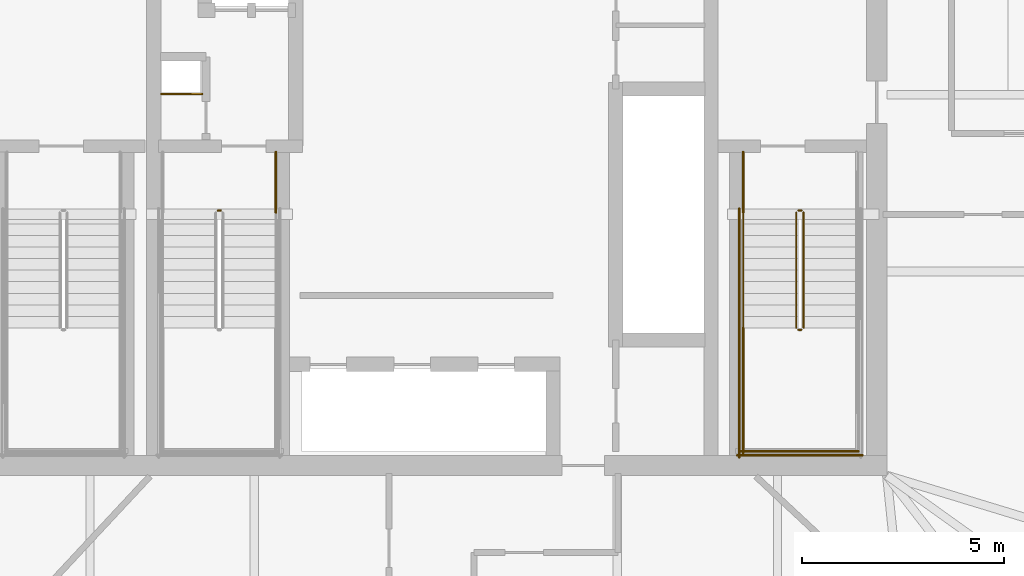
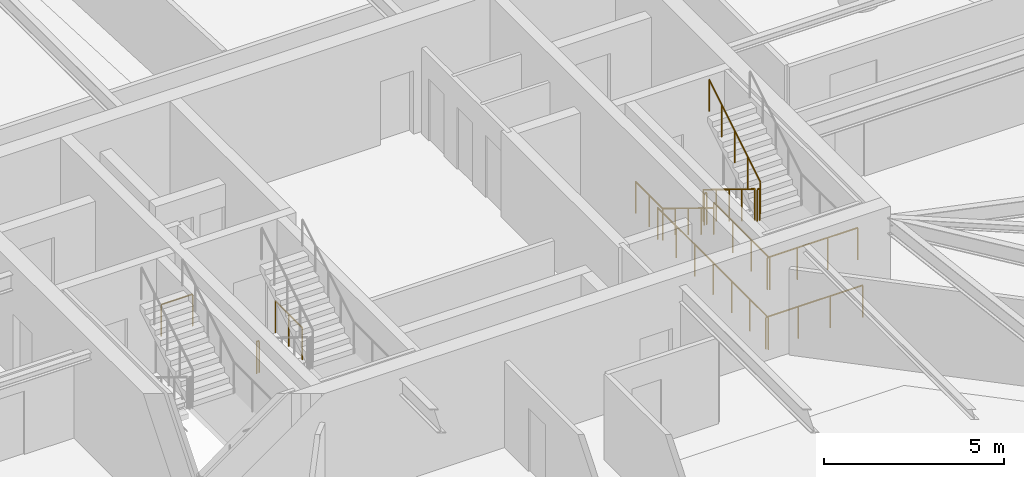
# One storey, part 17 of 18: 13 railings.
"""IFC4 building model written with IfcOpenShell, lengths in metres."""

from ifc_helpers import new_model, si_unit, direction, frame, origin, origin_2d, place, context, subcontext, project, spatial, circle, extrude, material, type_object, element, save


model = new_model("IFC4")

# Units and contexts
model_context = context("Model", 3, precision=1e-05, world=origin(), true_north=direction((0.0, 1.0)))
body_context = subcontext(model_context, "Body", "Model", "MODEL_VIEW")
ifc_project = project(units=[si_unit("LENGTHUNIT", "METRE"), si_unit("AREAUNIT", "SQUARE_METRE"), si_unit("VOLUMEUNIT", "CUBIC_METRE"), si_unit("PLANEANGLEUNIT", "RADIAN"), si_unit("MASSUNIT", "GRAM", prefix="KILO")], contexts=[model_context])

# Site, building, storey
site_placement = place(None, origin())
site = spatial("IfcSite", under=ifc_project, at=site_placement, CompositionType="ELEMENT")
building_placement = place(site_placement, origin())
building = spatial("IfcBuilding", under=site, at=building_placement, Name="Bramvorn Convention Spire", CompositionType="ELEMENT")
storey_placement = place(building_placement, frame((0.0, 0.0, 232.800048828125)))
storey = spatial("IfcBuildingStorey", under=building, at=storey_placement, Name="L59", CompositionType="ELEMENT", Elevation=232.800048828125)

# Railings
ifc_material_1 = material(Name="Painted Steel Balustrade & Guardrail", Category="steel")
railing_type_1 = type_object("IfcRailingType", Name="RL-STAIR-GUARD-1100", PredefinedType="GUARDRAIL", material=ifc_material_1)
railing_1_placement = place(storey_placement, frame((47.010009765625, 25.050048828125, 0.175048828125)))
element("IfcRailing", 1, at=railing_1_placement, inside=storey, type_object=railing_type_1, Name="L59 ST2 stair guard 1", PredefinedType="GUARDRAIL", context=body_context, shape_type="SweptSolid", body=[
    extrude(circle(Radius=0.02392578125, at=origin_2d()), frame((0.0, 0.0, 1.076171875), z_axis=(0.0, -0.852179220489, 0.52325001306), x_axis=(1.0, 0.0, 0.0)), (0.0, 0.0, 1.0), 3.344482421875),
    extrude(circle(Radius=0.02099609375, at=origin_2d()), origin(), (0.0, 0.0, 1.0), 1.052001953125),
    extrude(circle(Radius=0.02099609375, at=origin_2d()), frame((0.0, -0.71240234375, 0.4375)), (0.0, 0.0, 1.0), 1.052001953125),
    extrude(circle(Radius=0.02099609375, at=origin_2d()), frame((0.0, -1.425048828125, 0.875)), (0.0, 0.0, 1.0), 1.052001953125),
    extrude(circle(Radius=0.02099609375, at=origin_2d()), frame((0.0, -2.1376953125, 1.3125)), (0.0, 0.0, 1.0), 1.052001953125),
    extrude(circle(Radius=0.02099609375, at=origin_2d()), frame((0.0, -2.85009765625, 1.75)), (0.0, 0.0, 1.0), 1.052001953125),
])
railing_2_placement = place(storey_placement, frame((47.06005859375, 22.14990234375, 1.925048828125)))
element("IfcRailing", 2, at=railing_2_placement, inside=storey, type_object=railing_type_1, Name="L59 ST2 stair guard 2", PredefinedType="GUARDRAIL", context=body_context, shape_type="SweptSolid", body=[
    extrude(circle(Radius=0.02392578125, at=origin_2d()), frame((0.0, 0.0, 1.076171875), z_axis=(1.0, 0.0, 0.0), x_axis=(0.0, 1.0, 0.0)), (0.0, 0.0, 1.0), 0.079833984375),
    extrude(circle(Radius=0.02099609375, at=origin_2d()), origin(), (0.0, 0.0, 1.0), 1.052001953125),
    extrude(circle(Radius=0.02099609375, at=origin_2d()), frame((0.079833984375, 0.0, 0.0)), (0.0, 0.0, 1.0), 1.052001953125),
])
railing_3_placement = place(storey_placement, frame((45.699951171875, 22.199951171875, 1.925048828125)))
element("IfcRailing", 3, at=railing_3_placement, inside=storey, type_object=railing_type_1, Name="L59 ST2 stair guard 3", PredefinedType="GUARDRAIL", context=body_context, shape_type="SweptSolid", body=[
    extrude(circle(Radius=0.02392578125, at=origin_2d()), frame((0.0, 0.0, 1.076171875), z_axis=(0.0, -1.0, 0.0), x_axis=(1.0, 0.0, 0.0)), (0.0, 0.0, 1.0), 3.099853515625),
    extrude(circle(Radius=0.02099609375, at=origin_2d()), origin(), (0.0, 0.0, 1.0), 1.052001953125),
    extrude(circle(Radius=0.02099609375, at=origin_2d()), frame((0.0, -1.033203125, 0.0)), (0.0, 0.0, 1.0), 1.052001953125),
    extrude(circle(Radius=0.02099609375, at=origin_2d()), frame((0.0, -2.066650390625, 0.0)), (0.0, 0.0, 1.0), 1.052001953125),
    extrude(circle(Radius=0.02099609375, at=origin_2d()), frame((0.0, -3.099853515625, 0.0)), (0.0, 0.0, 1.0), 1.052001953125),
])
railing_4_placement = place(storey_placement, frame((45.64990234375, 19.14990234375, 1.925048828125)))
element("IfcRailing", 4, at=railing_4_placement, inside=storey, type_object=railing_type_1, Name="L59 ST2 stair guard 5", PredefinedType="GUARDRAIL", context=body_context, shape_type="SweptSolid", body=[
    extrude(circle(Radius=0.02392578125, at=origin_2d()), frame((0.0, 0.0, 1.076171875), z_axis=(1.0, 0.0, 0.0), x_axis=(0.0, 1.0, 0.0)), (0.0, 0.0, 1.0), 2.900146484375),
    extrude(circle(Radius=0.02099609375, at=origin_2d()), origin(), (0.0, 0.0, 1.0), 1.052001953125),
    extrude(circle(Radius=0.02099609375, at=origin_2d()), frame((0.966796875, 0.0, 0.0)), (0.0, 0.0, 1.0), 1.052001953125),
    extrude(circle(Radius=0.02099609375, at=origin_2d()), frame((1.933349609375, 0.0, 0.0)), (0.0, 0.0, 1.0), 1.052001953125),
    extrude(circle(Radius=0.02099609375, at=origin_2d()), frame((2.900146484375, 0.0, 0.0)), (0.0, 0.0, 1.0), 1.052001953125),
])
railing_5_placement = place(storey_placement, frame((47.18994140625, 22.199951171875, 2.099853515625)))
element("IfcRailing", 5, at=railing_5_placement, inside=storey, type_object=railing_type_1, Name="L59 ST2 stair guard 6", PredefinedType="GUARDRAIL", context=body_context, shape_type="SweptSolid", body=[
    extrude(circle(Radius=0.02392578125, at=origin_2d()), frame((0.0, 0.0, 1.076171875), z_axis=(0.0, 0.852179220489, 0.52325001306), x_axis=(-1.0, 0.0, 0.0)), (0.0, 0.0, 1.0), 3.344482421875),
    extrude(circle(Radius=0.02099609375, at=origin_2d()), origin(), (0.0, 0.0, 1.0), 1.052001953125),
    extrude(circle(Radius=0.02099609375, at=origin_2d()), frame((0.0, 0.71240234375, 0.4375)), (0.0, 0.0, 1.0), 1.052001953125),
    extrude(circle(Radius=0.02099609375, at=origin_2d()), frame((0.0, 1.425048828125, 0.875)), (0.0, 0.0, 1.0), 1.052001953125),
    extrude(circle(Radius=0.02099609375, at=origin_2d()), frame((0.0, 2.1376953125, 1.3125)), (0.0, 0.0, 1.0), 1.052001953125),
    extrude(circle(Radius=0.02099609375, at=origin_2d()), frame((0.0, 2.85009765625, 1.75)), (0.0, 0.0, 1.0), 1.052001953125),
])
railing_6_placement = place(storey_placement, frame((47.06005859375, 25.10009765625, 0.0)))
element("IfcRailing", 6, at=railing_6_placement, inside=storey, type_object=railing_type_1, Name="L59 ST2 stair guard 7", PredefinedType="GUARDRAIL", context=body_context, shape_type="SweptSolid", body=[
    extrude(circle(Radius=0.02392578125, at=origin_2d()), frame((0.0, 0.0, 1.076171875), z_axis=(1.0, 0.0, 0.0), x_axis=(0.0, 1.0, 0.0)), (0.0, 0.0, 1.0), 0.079833984375),
    extrude(circle(Radius=0.02099609375, at=origin_2d()), origin(), (0.0, 0.0, 1.0), 1.052001953125),
    extrude(circle(Radius=0.02099609375, at=origin_2d()), frame((0.079833984375, 0.0, 0.0)), (0.0, 0.0, 1.0), 1.052001953125),
])
railing_7_placement = place(storey_placement, frame((45.699951171875, 26.550048828125, 0.0)))
element("IfcRailing", 7, at=railing_7_placement, inside=storey, type_object=railing_type_1, Name="L59 ST2 stair guard 8", PredefinedType="GUARDRAIL", context=body_context, shape_type="SweptSolid", body=[
    extrude(circle(Radius=0.02392578125, at=origin_2d()), frame((0.0, 0.0, 1.076171875), z_axis=(0.0, -1.0, 0.0), x_axis=(1.0, 0.0, 0.0)), (0.0, 0.0, 1.0), 1.5),
    extrude(circle(Radius=0.02099609375, at=origin_2d()), origin(), (0.0, 0.0, 1.0), 1.052001953125),
    extrude(circle(Radius=0.02099609375, at=origin_2d()), frame((0.0, -0.75, 0.0)), (0.0, 0.0, 1.0), 1.052001953125),
    extrude(circle(Radius=0.02099609375, at=origin_2d()), frame((0.0, -1.5, 0.0)), (0.0, 0.0, 1.0), 1.052001953125),
])
railing_8_placement = place(storey_placement, frame((45.60009765625, 25.14990234375, 0.0)))
element("IfcRailing", 8, at=railing_8_placement, inside=storey, type_object=railing_type_1, Name="L59 ST2 stair guard 10", PredefinedType="GUARDRAIL", context=body_context, shape_type="SweptSolid", body=[
    extrude(circle(Radius=0.02392578125, at=origin_2d()), frame((0.0, 0.0, 1.076171875), z_axis=(0.0, -1.0, 0.0), x_axis=(1.0, 0.0, 0.0)), (0.0, 0.0, 1.0), 6.14990234375),
    extrude(circle(Radius=0.02099609375, at=origin_2d()), origin(), (0.0, 0.0, 1.0), 1.052001953125),
    extrude(circle(Radius=0.02099609375, at=origin_2d()), frame((0.0, -1.02490234375, 0.0)), (0.0, 0.0, 1.0), 1.052001953125),
    extrude(circle(Radius=0.02099609375, at=origin_2d()), frame((0.0, -2.050048828125, 0.0)), (0.0, 0.0, 1.0), 1.052001953125),
    extrude(circle(Radius=0.02099609375, at=origin_2d()), frame((0.0, -3.074951171875, 0.0)), (0.0, 0.0, 1.0), 1.052001953125),
    extrude(circle(Radius=0.02099609375, at=origin_2d()), frame((0.0, -4.099853515625, 0.0)), (0.0, 0.0, 1.0), 1.052001953125),
    extrude(circle(Radius=0.02099609375, at=origin_2d()), frame((0.0, -5.125, 0.0)), (0.0, 0.0, 1.0), 1.052001953125),
    extrude(circle(Radius=0.02099609375, at=origin_2d()), frame((0.0, -6.14990234375, 0.0)), (0.0, 0.0, 1.0), 1.052001953125),
])
railing_9_placement = place(storey_placement, frame((45.550048828125, 19.050048828125, 0.0)))
element("IfcRailing", 9, at=railing_9_placement, inside=storey, type_object=railing_type_1, Name="L59 ST2 stair guard 12", PredefinedType="GUARDRAIL", context=body_context, shape_type="SweptSolid", body=[
    extrude(circle(Radius=0.02392578125, at=origin_2d()), frame((0.0, 0.0, 1.076171875), z_axis=(1.0, 0.0, 0.0), x_axis=(0.0, 1.0, 0.0)), (0.0, 0.0, 1.0), 3.099853515625),
    extrude(circle(Radius=0.02099609375, at=origin_2d()), origin(), (0.0, 0.0, 1.0), 1.052001953125),
    extrude(circle(Radius=0.02099609375, at=origin_2d()), frame((1.033203125, 0.0, 0.0)), (0.0, 0.0, 1.0), 1.052001953125),
    extrude(circle(Radius=0.02099609375, at=origin_2d()), frame((2.066650390625, 0.0, 0.0)), (0.0, 0.0, 1.0), 1.052001953125),
    extrude(circle(Radius=0.02099609375, at=origin_2d()), frame((3.099853515625, 0.0, 0.0)), (0.0, 0.0, 1.0), 1.052001953125),
])
railing_10_placement = place(storey_placement, frame((32.7099609375, 25.10009765625, 0.0)))
element("IfcRailing", 10, at=railing_10_placement, inside=storey, type_object=railing_type_1, Name="L59 ST3 stair guard 7", PredefinedType="GUARDRAIL", context=body_context, shape_type="SweptSolid", body=[
    extrude(circle(Radius=0.02392578125, at=origin_2d()), frame((0.0, 0.0, 1.076171875), z_axis=(1.0, 0.0, 0.0), x_axis=(0.0, 1.0, 0.0)), (0.0, 0.0, 1.0), 0.080078125),
    extrude(circle(Radius=0.02099609375, at=origin_2d()), origin(), (0.0, 0.0, 1.0), 1.052001953125),
    extrude(circle(Radius=0.02099609375, at=origin_2d()), frame((0.080078125, 0.0, 0.0)), (0.0, 0.0, 1.0), 1.052001953125),
])
railing_11_placement = place(storey_placement, frame((34.14990234375, 26.550048828125, 0.0)))
element("IfcRailing", 11, at=railing_11_placement, inside=storey, type_object=railing_type_1, Name="L59 ST3 stair guard 9", PredefinedType="GUARDRAIL", context=body_context, shape_type="SweptSolid", body=[
    extrude(circle(Radius=0.02392578125, at=origin_2d()), frame((0.0, 0.0, 1.076171875), z_axis=(0.0, -1.0, 0.0), x_axis=(1.0, 0.0, 0.0)), (0.0, 0.0, 1.0), 1.5),
    extrude(circle(Radius=0.02099609375, at=origin_2d()), origin(), (0.0, 0.0, 1.0), 1.052001953125),
    extrude(circle(Radius=0.02099609375, at=origin_2d()), frame((0.0, -0.75, 0.0)), (0.0, 0.0, 1.0), 1.052001953125),
    extrude(circle(Radius=0.02099609375, at=origin_2d()), frame((0.0, -1.5, 0.0)), (0.0, 0.0, 1.0), 1.052001953125),
])
railing_12_placement = place(storey_placement, frame((31.320068359375, 27.97998046875, 0.0)))
element("IfcRailing", 12, at=railing_12_placement, inside=storey, type_object=railing_type_1, Name="L59 Telecom riser shaft opening safety guardrail", PredefinedType="GUARDRAIL", context=body_context, shape_type="SweptSolid", body=[
    extrude(circle(Radius=0.02392578125, at=origin_2d()), frame((0.0, 0.0, 1.076171875), z_axis=(1.0, 0.0, 0.0), x_axis=(0.0, 1.0, 0.0)), (0.0, 0.0, 1.0), 1.0),
    extrude(circle(Radius=0.02099609375, at=origin_2d()), origin(), (0.0, 0.0, 1.0), 1.052001953125),
    extrude(circle(Radius=0.02099609375, at=origin_2d()), frame((1.0, 0.0, 0.0)), (0.0, 0.0, 1.0), 1.052001953125),
])
ifc_material_2 = material(Name="Brushed Bronze Tubular Handrail", Category="aluminium")
railing_type_2 = type_object("IfcRailingType", Name="RL-STAIR-HR-920", PredefinedType="HANDRAIL", material=ifc_material_2)
railing_13_placement = place(storey_placement, frame((45.699951171875, 25.050048828125, 0.175048828125)))
element("IfcRailing", 13, at=railing_13_placement, inside=storey, type_object=railing_type_2, Name="L59 ST2 stair handrail 1", PredefinedType="HANDRAIL", context=body_context, shape_type="SweptSolid", body=[
    extrude(circle(Radius=0.02392578125, at=origin_2d()), frame((0.0, 0.0, 0.89599609375), z_axis=(0.0, -0.852179220489, 0.52325001306), x_axis=(1.0, 0.0, 0.0)), (0.0, 0.0, 1.0), 3.344482421875),
    extrude(circle(Radius=0.02099609375, at=origin_2d()), origin(), (0.0, 0.0, 1.0), 0.871826171875),
    extrude(circle(Radius=0.02099609375, at=origin_2d()), frame((0.0, -0.71240234375, 0.4375)), (0.0, 0.0, 1.0), 0.871826171875),
    extrude(circle(Radius=0.02099609375, at=origin_2d()), frame((0.0, -1.425048828125, 0.875)), (0.0, 0.0, 1.0), 0.871826171875),
    extrude(circle(Radius=0.02099609375, at=origin_2d()), frame((0.0, -2.1376953125, 1.3125)), (0.0, 0.0, 1.0), 0.871826171875),
    extrude(circle(Radius=0.02099609375, at=origin_2d()), frame((0.0, -2.85009765625, 1.75)), (0.0, 0.0, 1.0), 0.871826171875),
])

save(model, "model.ifc")
